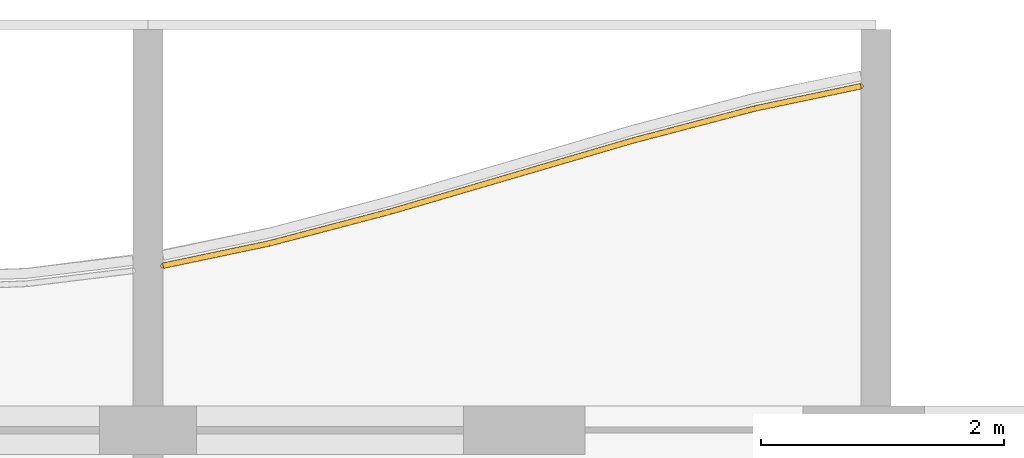
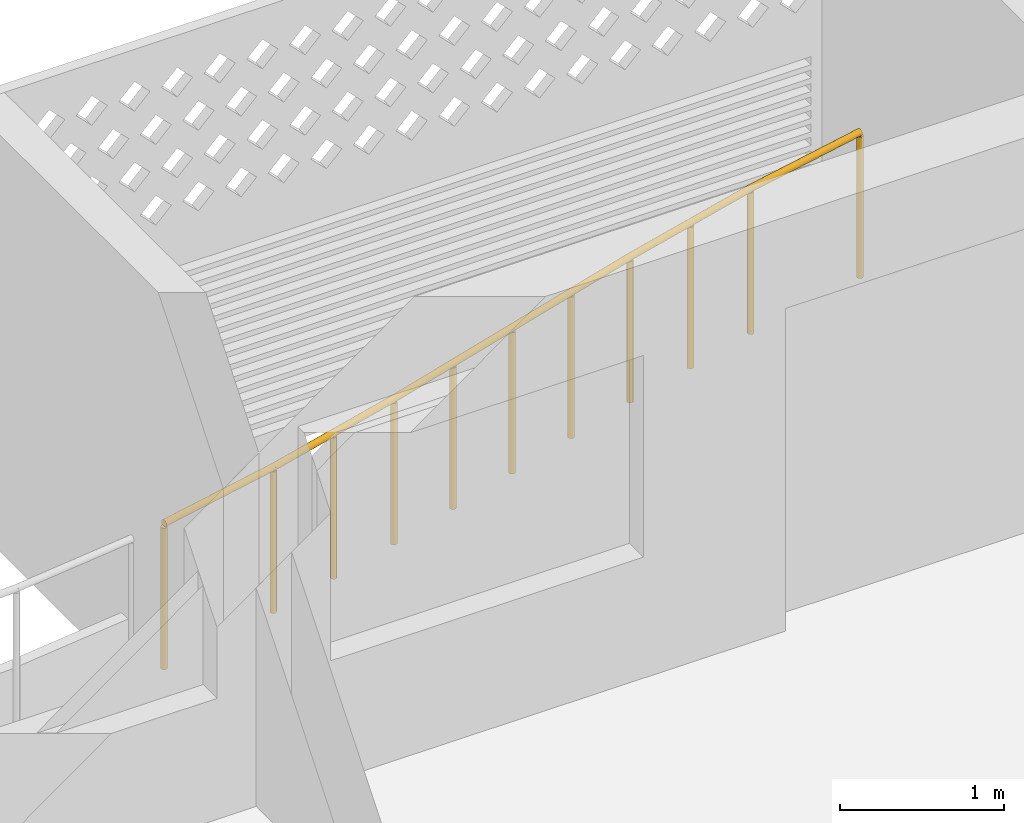
# One storey, part 17 of 26: 1 railing.
"""IFC4 building model written with IfcOpenShell, lengths in metres."""

from ifc_helpers import new_model, si_unit, direction, frame, origin, origin_2d, place, context, subcontext, project, spatial, circle, extrude, material, type_object, element, save


model = new_model("IFC4")

# Units and contexts
model_context = context("Model", 3, precision=1e-05, world=origin(), true_north=direction((0.0, 1.0)))
body_context = subcontext(model_context, "Body", "Model", "MODEL_VIEW")
ifc_project = project(units=[si_unit("LENGTHUNIT", "METRE"), si_unit("AREAUNIT", "SQUARE_METRE"), si_unit("VOLUMEUNIT", "CUBIC_METRE"), si_unit("PLANEANGLEUNIT", "RADIAN"), si_unit("MASSUNIT", "GRAM", prefix="KILO")], contexts=[model_context])

# Site, building, storey
site_placement = place(None, origin())
site = spatial("IfcSite", under=ifc_project, at=site_placement, CompositionType="ELEMENT")
building_placement = place(site_placement, origin())
building = spatial("IfcBuilding", under=site, at=building_placement, Name="Poui Terraces", CompositionType="ELEMENT")
storey_placement = place(building_placement, frame((0.0, 0.0, 221.39990234375)))
storey = spatial("IfcBuildingStorey", under=building, at=storey_placement, Name="L61", CompositionType="ELEMENT", Elevation=221.39990234375)

# Railing
ifc_material = material(Name="Painted steel fretwork", Category="steel")
railing_type = type_object("IfcRailingType", Name="BALCONY GUARD 1100", PredefinedType="GUARDRAIL", material=ifc_material)
railing_placement = place(storey_placement, frame((36.125, 42.555419921875, 0.0)))
element("IfcRailing", 1, at=railing_placement, inside=storey, type_object=railing_type, Name="BALCONY GUARD", PredefinedType="GUARDRAIL", context=body_context, shape_type="SweptSolid", body=[
    extrude(circle(Radius=0.02392578125, at=origin_2d()), frame((0.0, 0.0, 1.076171875), z_axis=(0.978633720926, 0.205611381657, 0.0), x_axis=(-0.205611381657, 0.978633720926, 0.0)), (0.0, 0.0, 1.0), 0.89404296875),
    extrude(circle(Radius=0.02392578125, at=origin_2d()), frame((0.875, 0.183837890625, 1.076171875), z_axis=(0.967126511287, 0.25429571598, 0.0), x_axis=(-0.25429571598, 0.967126511287, 0.0)), (0.0, 0.0, 1.0), 1.033935546875),
    extrude(circle(Radius=0.02392578125, at=origin_2d()), frame((1.875, 0.44677734375, 1.076171875), z_axis=(0.959726621702, 0.280935600444, 0.0), x_axis=(-0.280935600444, 0.959726621702, 0.0)), (0.0, 0.0, 1.0), 1.0419921875),
    extrude(circle(Radius=0.02392578125, at=origin_2d()), frame((2.875, 0.739501953125, 1.076171875), z_axis=(0.959663427085, 0.281151394654, 0.0), x_axis=(-0.281151394654, 0.959663427085, 0.0)), (0.0, 0.0, 1.0), 1.0419921875),
    extrude(circle(Radius=0.02392578125, at=origin_2d()), frame((3.875, 1.032470703125, 1.076171875), z_axis=(0.967184558731, 0.254074849901, 0.0), x_axis=(-0.254074849901, 0.967184558731, 0.0)), (0.0, 0.0, 1.0), 1.033935546875),
    extrude(circle(Radius=0.02392578125, at=origin_2d()), frame((4.875, 1.295166015625, 1.076171875), z_axis=(0.978633720926, 0.205611381657, 0.0), x_axis=(-0.205611381657, 0.978633720926, 0.0)), (0.0, 0.0, 1.0), 0.89404296875),
    extrude(circle(Radius=0.02099609375, at=origin_2d()), origin(), (0.0, 0.0, 1.0), 1.052001953125),
    extrude(circle(Radius=0.02099609375, at=origin_2d()), frame((0.875, 0.183837890625, 0.0)), (0.0, 0.0, 1.0), 1.052001953125),
    extrude(circle(Radius=0.02099609375, at=origin_2d()), frame((1.375, 0.3154296875, 0.0)), (0.0, 0.0, 1.0), 1.052001953125),
    extrude(circle(Radius=0.02099609375, at=origin_2d()), frame((1.875, 0.44677734375, 0.0)), (0.0, 0.0, 1.0), 1.052001953125),
    extrude(circle(Radius=0.02099609375, at=origin_2d()), frame((2.375, 0.59326171875, 0.0)), (0.0, 0.0, 1.0), 1.052001953125),
    extrude(circle(Radius=0.02099609375, at=origin_2d()), frame((2.875, 0.739501953125, 0.0)), (0.0, 0.0, 1.0), 1.052001953125),
    extrude(circle(Radius=0.02099609375, at=origin_2d()), frame((3.375, 0.885986328125, 0.0)), (0.0, 0.0, 1.0), 1.052001953125),
    extrude(circle(Radius=0.02099609375, at=origin_2d()), frame((3.875, 1.032470703125, 0.0)), (0.0, 0.0, 1.0), 1.052001953125),
    extrude(circle(Radius=0.02099609375, at=origin_2d()), frame((4.375, 1.163818359375, 0.0)), (0.0, 0.0, 1.0), 1.052001953125),
    extrude(circle(Radius=0.02099609375, at=origin_2d()), frame((4.875, 1.295166015625, 0.0)), (0.0, 0.0, 1.0), 1.052001953125),
    extrude(circle(Radius=0.02099609375, at=origin_2d()), frame((5.75, 1.47900390625, 0.0)), (0.0, 0.0, 1.0), 1.052001953125),
])

save(model, "model.ifc")
